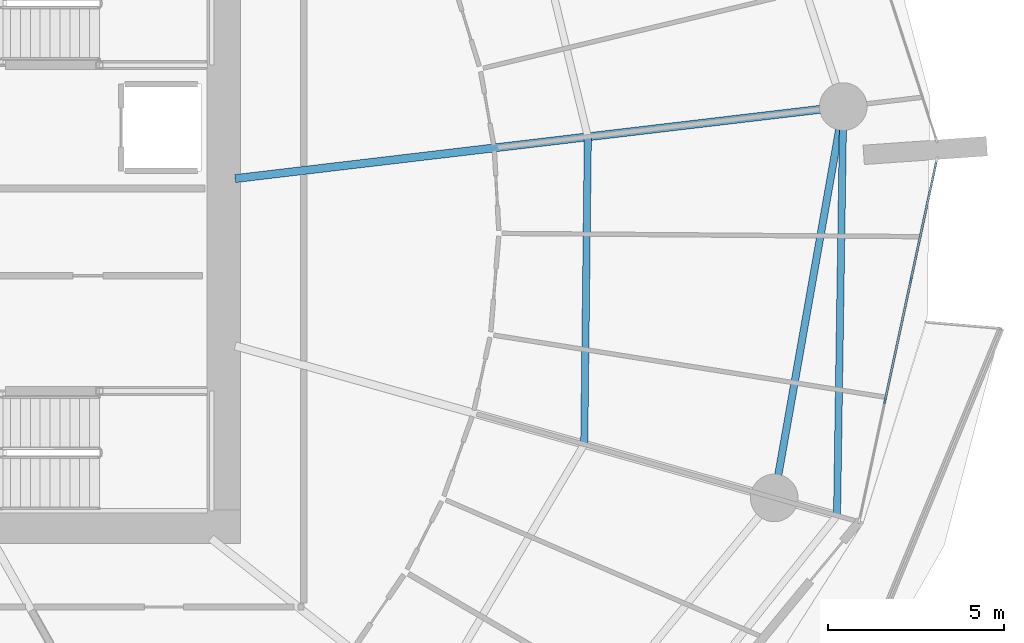
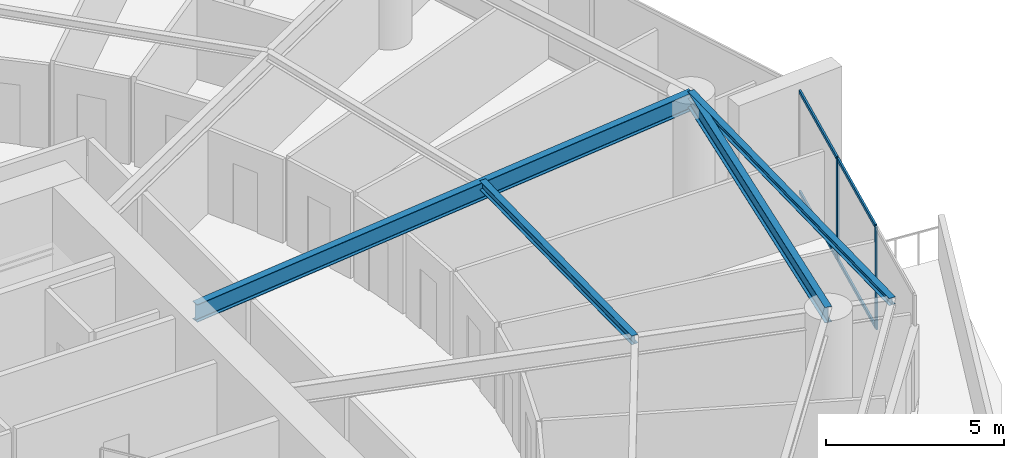
# One storey, part 11 of 32: 6 members, 4 beams, 1 element without a shape of its own.
"""IFC4 building model written with IfcOpenShell, lengths in metres."""

from ifc_helpers import new_model, si_unit, direction, frame, origin, origin_2d, place, context, subcontext, project, spatial, rectangle, i_section, extrude, material, layer, layer_set, material_profile, profile_set, type_object, element, aggregate, save


model = new_model("IFC4")

# Units and contexts
model_context = context("Model", 3, precision=1e-05, world=origin(), true_north=direction((0.0, 1.0)))
body_context = subcontext(model_context, "Body", "Model", "MODEL_VIEW")
ifc_project = project(units=[si_unit("LENGTHUNIT", "METRE"), si_unit("AREAUNIT", "SQUARE_METRE"), si_unit("VOLUMEUNIT", "CUBIC_METRE"), si_unit("PLANEANGLEUNIT", "RADIAN"), si_unit("MASSUNIT", "GRAM", prefix="KILO")], contexts=[model_context])

# Site, building, storey
site_placement = place(None, origin())
site = spatial("IfcSite", under=ifc_project, at=site_placement, CompositionType="ELEMENT")
building_placement = place(site_placement, origin())
building = spatial("IfcBuilding", under=site, at=building_placement, Name="Kazma Halo Residences", CompositionType="ELEMENT")
storey_placement = place(building_placement, frame((0.0, 0.0, 63.89990234375)))
storey = spatial("IfcBuildingStorey", under=building, at=storey_placement, Name="L15", CompositionType="ELEMENT", Elevation=63.89990234375)

# Beams
ifc_material_1 = material(Name="Steel S355", Category="steel")
ifc_material_profile_1 = material_profile(ifc_material_1, i_section(OverallWidth=0.201904296875, OverallDepth=0.2470703125, WebThickness=0.00732421875, FlangeThickness=0.010986328125, FilletRadius=0.011962890625, at=origin_2d()), Name="W250x49.1")
ifc_profile_set_1 = profile_set([ifc_material_profile_1], Name="Steel S355")
beam_type_1 = type_object("IfcBeamType", Name="BM-BAL-CANT", PredefinedType="BEAM", material=ifc_profile_set_1)
beam_1_placement = place(storey_placement, frame((76.92138671875, 33.84326171875, 3.376708984375), z_axis=(0.015213846033, 0.999884262747, 0.0), x_axis=(-0.999884262747, 0.015213846033, 0.0)))
element("IfcBeam", 1, at=beam_1_placement, inside=storey, type_object=beam_type_1, Name="L15 wave-balcony tie beam 15", PredefinedType="BEAM", context=body_context, shape_type="SweptSolid", body=[
    extrude(i_section(OverallWidth=0.201904296875, OverallDepth=0.2470703125, WebThickness=0.00732421875, FlangeThickness=0.010986328125, FilletRadius=0.011962890625, at=origin_2d()), origin(), (0.0, 0.0, 1.0), 11.602294921875),
])
ifc_material_profile_2 = material_profile(ifc_material_1, i_section(OverallWidth=0.22802734375, OverallDepth=0.60791015625, WebThickness=0.01123046875, FlangeThickness=0.017333984375, FilletRadius=0.01806640625, at=origin_2d()), Name="W610x113")
ifc_profile_set_2 = profile_set([ifc_material_profile_2], Name="Steel S355")
beam_type_2 = type_object("IfcBeamType", Name="BM-RAD-W610", PredefinedType="BEAM", material=ifc_profile_set_2)
beam_2_placement = place(storey_placement, frame((59.85009765625, 43.402587890625, 3.196044921875), z_axis=(0.993067839154, 0.117542617111, 0.0), x_axis=(-0.117542617111, 0.993067839154, 0.0)))
element("IfcBeam", 2, at=beam_2_placement, inside=storey, type_object=beam_type_2, Name="L15 radial floor beam 16", PredefinedType="BEAM", context=body_context, shape_type="SweptSolid", body=[
    extrude(i_section(OverallWidth=0.22802734375, OverallDepth=0.60791015625, WebThickness=0.01123046875, FlangeThickness=0.017333984375, FilletRadius=0.01806640625, at=origin_2d()), origin(), (0.0, 0.0, 1.0), 17.3681640625),
])
ifc_material_profile_3 = material_profile(ifc_material_1, i_section(OverallWidth=0.202880859375, OverallDepth=0.302978515625, WebThickness=0.007568359375, FlangeThickness=0.01318359375, FilletRadius=0.013916015625, at=origin_2d()), Name="W310x60")
ifc_profile_set_3 = profile_set([ifc_material_profile_3], Name="Steel S355")
beam_type_3 = type_object("IfcBeamType", Name="BM-SEC-W310A", PredefinedType="JOIST", material=ifc_profile_set_3)
beam_3_placement = place(storey_placement, frame((69.75146484375, 35.865478515625, 3.3486328125), z_axis=(0.011728659646, 0.999931216906, 0.0), x_axis=(-0.999931216906, 0.011728659646, 0.0)))
element("IfcBeam", 3, at=beam_3_placement, inside=storey, type_object=beam_type_3, Name="L15 circumferential floor joist 15", PredefinedType="JOIST", context=body_context, shape_type="SweptSolid", body=[
    extrude(i_section(OverallWidth=0.202880859375, OverallDepth=0.302978515625, WebThickness=0.007568359375, FlangeThickness=0.01318359375, FilletRadius=0.013916015625, at=origin_2d()), origin(), (0.0, 0.0, 1.0), 8.7216796875),
])
ifc_material_profile_4 = material_profile(ifc_material_1, i_section(OverallWidth=0.208984375, OverallDepth=0.532958984375, WebThickness=0.01025390625, FlangeThickness=0.015625, FilletRadius=0.01611328125, at=origin_2d()), Name="W530x92")
ifc_profile_set_4 = profile_set([ifc_material_profile_4], Name="Steel S355")
beam_type_4 = type_object("IfcBeamType", Name="BM-SPN-W530", PredefinedType="BEAM", material=ifc_profile_set_4)
beam_4_placement = place(storey_placement, frame((75.140869140625, 34.345458984375, 3.233642578125), z_axis=(0.173651864005, 0.984807103004, 0.0), x_axis=(-0.984807103004, 0.173651864005, 0.0)))
element("IfcBeam", 4, at=beam_4_placement, inside=storey, type_object=beam_type_4, Name="L15 perimeter ring beam 15", PredefinedType="BEAM", context=body_context, shape_type="SweptSolid", body=[
    extrude(i_section(OverallWidth=0.208984375, OverallDepth=0.532958984375, WebThickness=0.01025390625, FlangeThickness=0.015625, FilletRadius=0.01611328125, at=origin_2d()), origin(), (0.0, 0.0, 1.0), 11.269775390625),
])

# Curtain wall, members
ifc_material_2 = material(Name="Aluminium AW-6063 T6 and Triple-Silver Low-E Glass", Category="aluminium")
ifc_layer = layer(ifc_material_2, 0.159912109375)
ifc_layer_set = layer_set([ifc_layer], Name="Aluminium AW-6063 T6 and Triple-Silver Low-E Glass")
curtain_wall_type = type_object("IfcCurtainWallType", Name="CW-SYS-2", PredefinedType="NOTDEFINED", material=ifc_layer_set)
curtain_wall_placement = place(storey_placement, origin())
curtain_wall = element("IfcCurtainWall", 5, at=curtain_wall_placement, inside=storey, type_object=curtain_wall_type, Name="L15 unitised curtain wall B15", PredefinedType="NOTDEFINED")
ifc_material_3 = material(Name="Aluminium AW-6063 T6", Category="aluminium")
ifc_material_profile_5 = material_profile(ifc_material_3, rectangle(XDim=0.06005859375, YDim=0.159912109375, at=origin_2d()), Name="CWM-60x160")
ifc_profile_set_5 = profile_set([ifc_material_profile_5], Name="Aluminium AW-6063 T6")
member_type_1 = type_object("IfcMemberType", Name="CW-SYS-2-MUL", PredefinedType="MULLION", material=ifc_profile_set_5)
member_1_placement = place(storey_placement, frame((78.282958984375, 37.101318359375, 0.0), z_axis=(0.0, 0.0, 1.0), x_axis=(-0.977779215096, 0.209637321406, 0.0)))
member_1 = element("IfcMember", 6, at=member_1_placement, type_object=member_type_1, Name="CWS-2 mullion 2", PredefinedType="MULLION", context=body_context, shape_type="SweptSolid", body=[
    extrude(rectangle(XDim=0.06005859375, YDim=0.159912109375, at=origin_2d()), origin(), (0.0, 0.0, 1.0), 3.5),
])
member_2_placement = place(storey_placement, frame((79.019287109375, 40.53564453125, 0.0), z_axis=(0.0, 0.0, 1.0), x_axis=(-0.977779215096, 0.209637321406, 0.0)))
member_2 = element("IfcMember", 7, at=member_2_placement, type_object=member_type_1, Name="CWS-2 mullion 3", PredefinedType="MULLION", context=body_context, shape_type="SweptSolid", body=[
    extrude(rectangle(XDim=0.06005859375, YDim=0.159912109375, at=origin_2d()), origin(), (0.0, 0.0, 1.0), 3.5),
])
ifc_material_profile_6 = material_profile(ifc_material_3, rectangle(XDim=0.06005859375, YDim=0.1201171875, at=origin_2d()), Name="CWT-60x120")
ifc_profile_set_6 = profile_set([ifc_material_profile_6], Name="Aluminium AW-6063 T6")
member_type_2 = type_object("IfcMemberType", Name="CW-SYS-2-TRN", PredefinedType="USERDEFINED", material=ifc_profile_set_6)
member_3_placement = place(storey_placement, frame((78.289306640625, 37.130615234375, 0.030029296875), z_axis=(0.209669136217, 0.977772393412, 0.0), x_axis=(-0.977772393412, 0.209669136217, 0.0)))
member_3 = element("IfcMember", 8, at=member_3_placement, type_object=member_type_2, Name="CWS-2 transom 2.1", ObjectType="TRANSOM", PredefinedType="USERDEFINED", context=body_context, shape_type="SweptSolid", body=[
    extrude(rectangle(XDim=0.06005859375, YDim=0.1201171875, at=origin_2d()), origin(), (0.0, 0.0, 1.0), 3.452392578125),
])
member_4_placement = place(storey_placement, frame((78.289306640625, 37.130615234375, 3.47021484375), z_axis=(0.209669136217, 0.977772393412, 0.0), x_axis=(-0.977772393412, 0.209669136217, 0.0)))
member_4 = element("IfcMember", 9, at=member_4_placement, type_object=member_type_2, Name="CWS-2 transom 2.2", ObjectType="TRANSOM", PredefinedType="USERDEFINED", context=body_context, shape_type="SweptSolid", body=[
    extrude(rectangle(XDim=0.06005859375, YDim=0.1201171875, at=origin_2d()), origin(), (0.0, 0.0, 1.0), 3.452392578125),
])
member_5_placement = place(storey_placement, frame((79.025634765625, 40.565185546875, 0.030029296875), z_axis=(0.209665500897, 0.977773172946, 0.0), x_axis=(-0.977773172946, 0.209665500897, 0.0)))
member_5 = element("IfcMember", 10, at=member_5_placement, type_object=member_type_2, Name="CWS-2 transom 3.1", ObjectType="TRANSOM", PredefinedType="USERDEFINED", context=body_context, shape_type="SweptSolid", body=[
    extrude(rectangle(XDim=0.06005859375, YDim=0.1201171875, at=origin_2d()), origin(), (0.0, 0.0, 1.0), 3.42236328125),
])
member_6_placement = place(storey_placement, frame((79.025634765625, 40.565185546875, 3.47021484375), z_axis=(0.209665500897, 0.977773172946, 0.0), x_axis=(-0.977773172946, 0.209665500897, 0.0)))
member_6 = element("IfcMember", 11, at=member_6_placement, type_object=member_type_2, Name="CWS-2 transom 3.2", ObjectType="TRANSOM", PredefinedType="USERDEFINED", context=body_context, shape_type="SweptSolid", body=[
    extrude(rectangle(XDim=0.06005859375, YDim=0.1201171875, at=origin_2d()), origin(), (0.0, 0.0, 1.0), 3.42236328125),
])
aggregate(curtain_wall, [member_1, member_2, member_3, member_4, member_5, member_6])

save(model, "model.ifc")
